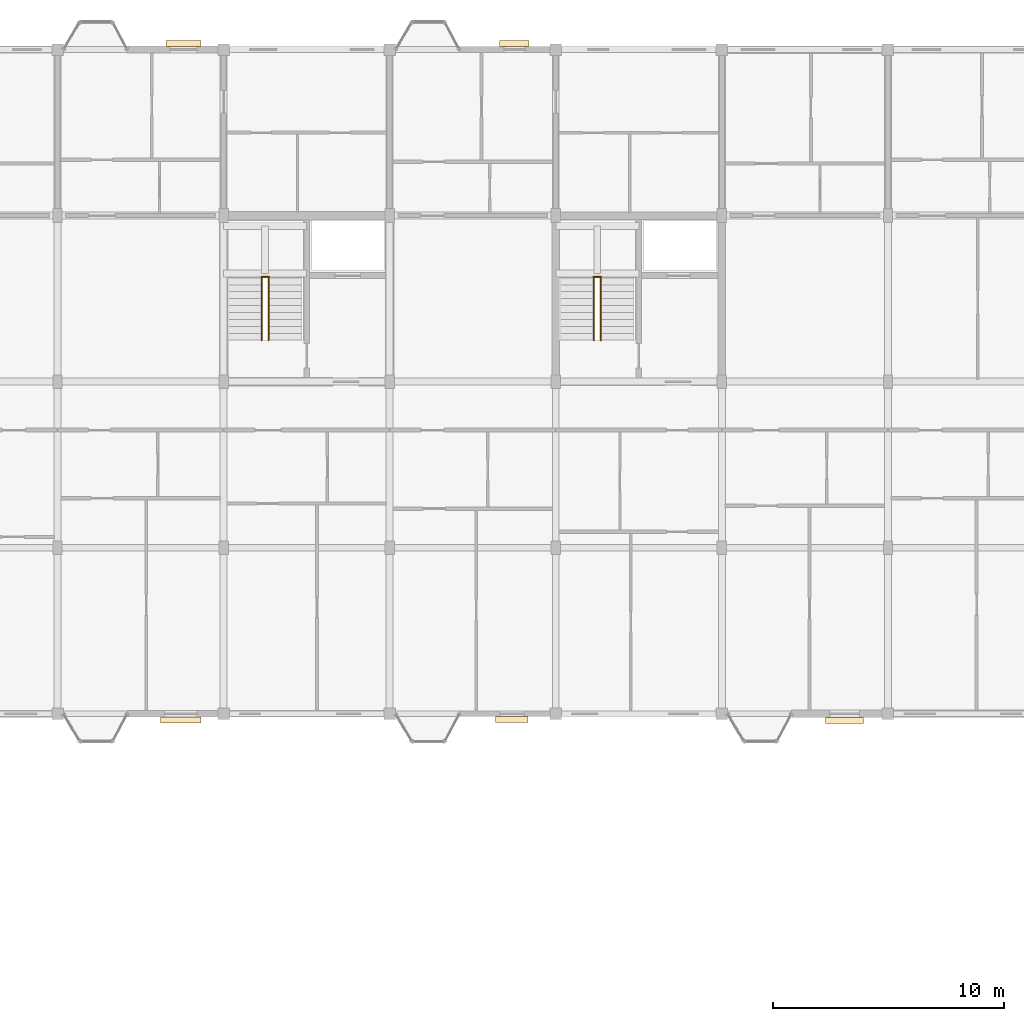
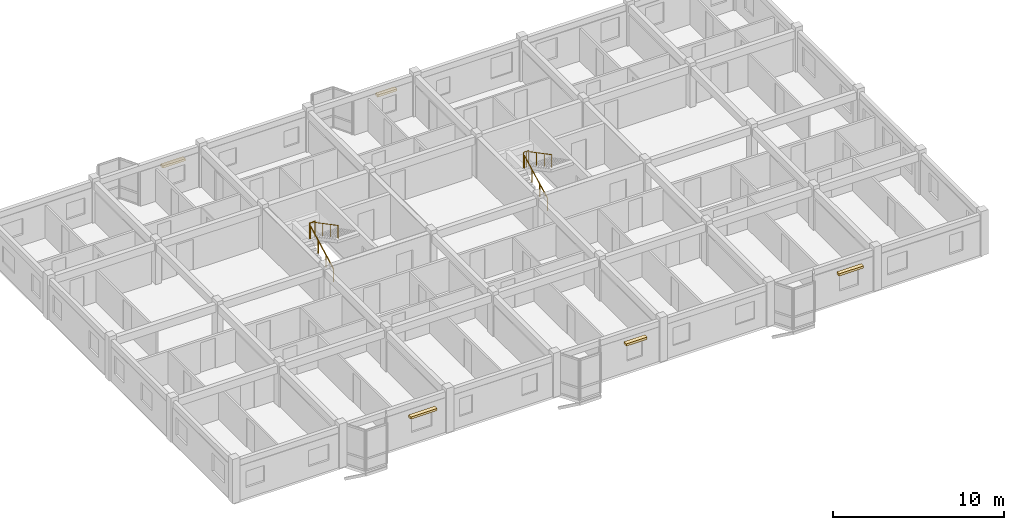
# One storey, part 65 of 65: 6 railings, 5 coverings.
"""IFC4 building model written with IfcOpenShell, lengths in metres."""

from ifc_helpers import new_model, si_unit, direction, frame, origin, origin_2d, place, context, subcontext, project, spatial, rectangle, circle, extrude, material, layer, layer_set, type_object, element, save


model = new_model("IFC4")

# Units and contexts
model_context = context("Model", 3, precision=1e-05, world=origin(), true_north=direction((0.0, 1.0)))
body_context = subcontext(model_context, "Body", "Model", "MODEL_VIEW")
ifc_project = project(units=[si_unit("LENGTHUNIT", "METRE"), si_unit("AREAUNIT", "SQUARE_METRE"), si_unit("VOLUMEUNIT", "CUBIC_METRE"), si_unit("PLANEANGLEUNIT", "RADIAN"), si_unit("MASSUNIT", "GRAM", prefix="KILO"), si_unit("THERMODYNAMICTEMPERATUREUNIT", "KELVIN"), si_unit("POWERUNIT", "WATT")], contexts=[model_context])

# Site, building, storey
site_placement = place(None, origin())
site = spatial("IfcSite", under=ifc_project, at=site_placement, CompositionType="ELEMENT")
building_placement = place(site_placement, origin())
building = spatial("IfcBuilding", under=site, at=building_placement, Name="Tavuni Mirador Residences", CompositionType="ELEMENT")
storey_placement = place(building_placement, frame((0.0, 0.0, 29.699951171875)))
storey = spatial("IfcBuildingStorey", under=building, at=storey_placement, Name="L09", CompositionType="ELEMENT", Elevation=29.699951171875)

# Coverings
ifc_material_1 = material(Name="Natural coral limestone", Category="masonry")
ifc_layer = layer(ifc_material_1, 0.054931640625, Name="Natural coral limestone", Category="masonry")
ifc_layer_set = layer_set([ifc_layer], Name="Natural coral limestone")
covering_type = type_object("IfcCoveringType", Name="CVT-CLAD-CORAL", PredefinedType="CLADDING", material=ifc_layer_set)
covering_1_placement = place(storey_placement, frame((23.344970703125, 143.72802734375, 1.9501953125), z_axis=(0.0, 0.0, 1.0), x_axis=(1.0, 0.0, 0.0)))
element("IfcCovering", 1, at=covering_1_placement, inside=storey, type_object=covering_type, Name="HOOD-0751", PredefinedType="CLADDING", context=body_context, shape_type="SweptSolid", body=[
    extrude(rectangle(XDim=1.760009765625, YDim=0.260009765625, at=origin_2d()), origin(), (0.0, 0.0, 1.0), 0.159912109375),
])
covering_2_placement = place(storey_placement, frame((37.695068359375, 143.74560546875, 2.06005859375), z_axis=(0.0, 0.0, 1.0), x_axis=(1.0, 0.0, 0.0)))
element("IfcCovering", 2, at=covering_2_placement, inside=storey, type_object=covering_type, Name="HOOD-0752", PredefinedType="CLADDING", context=body_context, shape_type="SweptSolid", body=[
    extrude(rectangle(XDim=1.39990234375, YDim=0.260009765625, at=origin_2d()), origin(), (0.0, 0.0, 1.0), 0.159912109375),
])
covering_3_placement = place(storey_placement, frame((52.1201171875, 143.7080078125, 2.06005859375), z_axis=(0.0, 0.0, 1.0), x_axis=(1.0, 0.0, 0.0)))
element("IfcCovering", 3, at=covering_3_placement, inside=storey, type_object=covering_type, Name="HOOD-0753", PredefinedType="CLADDING", context=body_context, shape_type="SweptSolid", body=[
    extrude(rectangle(XDim=1.639892578125, YDim=0.260009765625, at=origin_2d()), origin(), (0.0, 0.0, 1.0), 0.159912109375),
])
covering_4_placement = place(storey_placement, frame((37.81005859375, 173.054443359375, 1.9501953125), z_axis=(0.0, 0.0, 1.0), x_axis=(-1.0, 0.0, 0.0)))
element("IfcCovering", 4, at=covering_4_placement, inside=storey, type_object=covering_type, Name="HOOD-0754", PredefinedType="CLADDING", context=body_context, shape_type="SweptSolid", body=[
    extrude(rectangle(XDim=1.280029296875, YDim=0.260009765625, at=origin_2d()), origin(), (0.0, 0.0, 1.0), 0.159912109375),
])
covering_5_placement = place(storey_placement, frame((23.4599609375, 173.072021484375, 1.9501953125), z_axis=(0.0, 0.0, 1.0), x_axis=(-1.0, 0.0, 0.0)))
element("IfcCovering", 5, at=covering_5_placement, inside=storey, type_object=covering_type, Name="HOOD-0755", PredefinedType="CLADDING", context=body_context, shape_type="SweptSolid", body=[
    extrude(rectangle(XDim=1.52001953125, YDim=0.260009765625, at=origin_2d()), origin(), (0.0, 0.0, 1.0), 0.159912109375),
])

# Railings
ifc_material_2 = material(Name="Structural steel S355", Category="steel")
railing_type_1 = type_object("IfcRailingType", Name="RT-GR1120", PredefinedType="GUARDRAIL", material=ifc_material_2)
railing_1_placement = place(storey_placement, frame((26.820068359375, 162.93994140625, 1.574951171875)))
element("IfcRailing", 6, at=railing_1_placement, inside=storey, type_object=railing_type_1, Name="GRD-HL-ST5-L09", PredefinedType="GUARDRAIL", context=body_context, shape_type="SweptSolid", body=[
    extrude(circle(Radius=0.02392578125, at=origin_2d()), frame((0.0, 0.0, 1.09619140625), z_axis=(1.0, 0.0, 0.0), x_axis=(0.0, 1.0, 0.0)), (0.0, 0.0, 1.0), 0.35986328125),
    extrude(circle(Radius=0.02099609375, at=origin_2d()), origin(), (0.0, 0.0, 1.0), 1.072021484375),
    extrude(circle(Radius=0.02099609375, at=origin_2d()), frame((0.35986328125, 0.0, 0.0)), (0.0, 0.0, 1.0), 1.072021484375),
])
railing_2_placement = place(storey_placement, frame((41.219970703125, 162.93994140625, 1.574951171875)))
element("IfcRailing", 7, at=railing_2_placement, inside=storey, type_object=railing_type_1, Name="GRD-HL-ST6-L09", PredefinedType="GUARDRAIL", context=body_context, shape_type="SweptSolid", body=[
    extrude(circle(Radius=0.02392578125, at=origin_2d()), frame((0.0, 0.0, 1.09619140625), z_axis=(1.0, 0.0, 0.0), x_axis=(0.0, 1.0, 0.0)), (0.0, 0.0, 1.0), 0.360107421875),
    extrude(circle(Radius=0.02099609375, at=origin_2d()), origin(), (0.0, 0.0, 1.0), 1.072021484375),
    extrude(circle(Radius=0.02099609375, at=origin_2d()), frame((0.18017578125, 0.0, 0.0)), (0.0, 0.0, 1.0), 1.072021484375),
    extrude(circle(Radius=0.02099609375, at=origin_2d()), frame((0.360107421875, 0.0, 0.0)), (0.0, 0.0, 1.0), 1.072021484375),
])
railing_type_2 = type_object("IfcRailingType", Name="RT-HR920", PredefinedType="HANDRAIL", material=ifc_material_2)
railing_3_placement = place(storey_placement, frame((26.85009765625, 160.199951171875, 0.157470703125)))
element("IfcRailing", 8, at=railing_3_placement, inside=storey, type_object=railing_type_2, Name="HR-ST5-L09-F1", PredefinedType="HANDRAIL", context=body_context, shape_type="SweptSolid", body=[
    extrude(circle(Radius=0.02392578125, at=origin_2d()), frame((0.0, 0.0, 0.89599609375), z_axis=(0.0, 0.885397079081, 0.464835468048), x_axis=(-1.0, 0.0, 0.0)), (0.0, 0.0, 1.0), 3.04931640625),
    extrude(circle(Radius=0.02099609375, at=origin_2d()), origin(), (0.0, 0.0, 1.0), 0.871826171875),
    extrude(circle(Radius=0.02099609375, at=origin_2d()), frame((0.0, 0.89990234375, 0.472412109375)), (0.0, 0.0, 1.0), 0.871826171875),
    extrude(circle(Radius=0.02099609375, at=origin_2d()), frame((0.0, 1.800048828125, 0.945068359375)), (0.0, 0.0, 1.0), 0.871826171875),
    extrude(circle(Radius=0.02099609375, at=origin_2d()), frame((0.0, 2.699951171875, 1.41748046875)), (0.0, 0.0, 1.0), 0.871826171875),
])
railing_4_placement = place(storey_placement, frame((27.14990234375, 162.89990234375, 1.732666015625)))
element("IfcRailing", 9, at=railing_4_placement, inside=storey, type_object=railing_type_2, Name="HR-ST5-L09-F2", PredefinedType="HANDRAIL", context=body_context, shape_type="SweptSolid", body=[
    extrude(circle(Radius=0.02392578125, at=origin_2d()), frame((0.0, 0.0, 0.89599609375), z_axis=(0.0, -0.885397079081, 0.464835468048), x_axis=(1.0, 0.0, 0.0)), (0.0, 0.0, 1.0), 3.04931640625),
    extrude(circle(Radius=0.02099609375, at=origin_2d()), origin(), (0.0, 0.0, 1.0), 0.871826171875),
    extrude(circle(Radius=0.02099609375, at=origin_2d()), frame((0.0, -0.89990234375, 0.472412109375)), (0.0, 0.0, 1.0), 0.871826171875),
    extrude(circle(Radius=0.02099609375, at=origin_2d()), frame((0.0, -1.800048828125, 0.945068359375)), (0.0, 0.0, 1.0), 0.871826171875),
    extrude(circle(Radius=0.02099609375, at=origin_2d()), frame((0.0, -2.699951171875, 1.41748046875)), (0.0, 0.0, 1.0), 0.871826171875),
])
railing_5_placement = place(storey_placement, frame((41.25, 160.199951171875, 0.157470703125)))
element("IfcRailing", 10, at=railing_5_placement, inside=storey, type_object=railing_type_2, Name="HR-ST6-L09-F1", PredefinedType="HANDRAIL", context=body_context, shape_type="SweptSolid", body=[
    extrude(circle(Radius=0.02392578125, at=origin_2d()), frame((0.0, 0.0, 0.89599609375), z_axis=(0.0, 0.885397079081, 0.464835468048), x_axis=(-1.0, 0.0, 0.0)), (0.0, 0.0, 1.0), 3.04931640625),
    extrude(circle(Radius=0.02099609375, at=origin_2d()), origin(), (0.0, 0.0, 1.0), 0.871826171875),
    extrude(circle(Radius=0.02099609375, at=origin_2d()), frame((0.0, 0.89990234375, 0.472412109375)), (0.0, 0.0, 1.0), 0.871826171875),
    extrude(circle(Radius=0.02099609375, at=origin_2d()), frame((0.0, 1.800048828125, 0.945068359375)), (0.0, 0.0, 1.0), 0.871826171875),
    extrude(circle(Radius=0.02099609375, at=origin_2d()), frame((0.0, 2.699951171875, 1.41748046875)), (0.0, 0.0, 1.0), 0.871826171875),
])
railing_6_placement = place(storey_placement, frame((41.550048828125, 162.89990234375, 1.732666015625)))
element("IfcRailing", 11, at=railing_6_placement, inside=storey, type_object=railing_type_2, Name="HR-ST6-L09-F2", PredefinedType="HANDRAIL", context=body_context, shape_type="SweptSolid", body=[
    extrude(circle(Radius=0.02392578125, at=origin_2d()), frame((0.0, 0.0, 0.89599609375), z_axis=(0.0, -0.885397079081, 0.464835468048), x_axis=(1.0, 0.0, 0.0)), (0.0, 0.0, 1.0), 3.04931640625),
    extrude(circle(Radius=0.02099609375, at=origin_2d()), origin(), (0.0, 0.0, 1.0), 0.871826171875),
    extrude(circle(Radius=0.02099609375, at=origin_2d()), frame((0.0, -0.89990234375, 0.472412109375)), (0.0, 0.0, 1.0), 0.871826171875),
    extrude(circle(Radius=0.02099609375, at=origin_2d()), frame((0.0, -1.800048828125, 0.945068359375)), (0.0, 0.0, 1.0), 0.871826171875),
    extrude(circle(Radius=0.02099609375, at=origin_2d()), frame((0.0, -2.699951171875, 1.41748046875)), (0.0, 0.0, 1.0), 0.871826171875),
])

save(model, "model.ifc")
